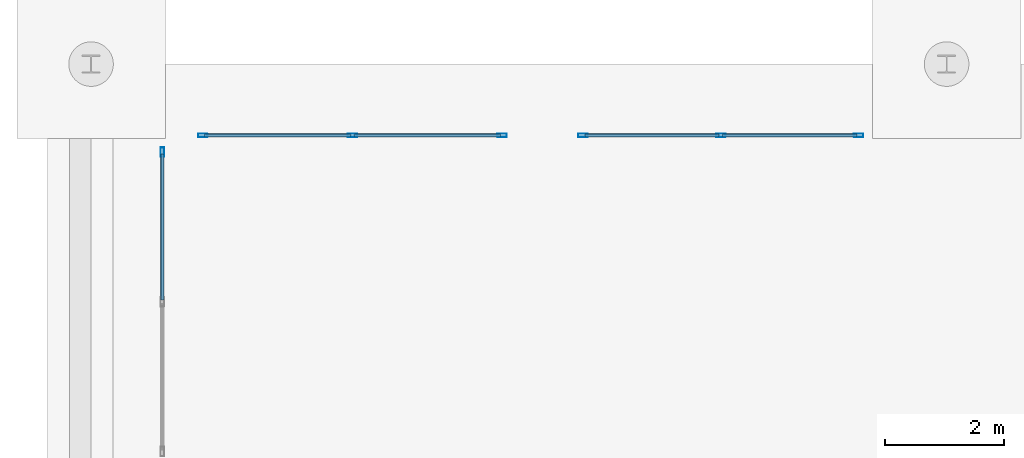
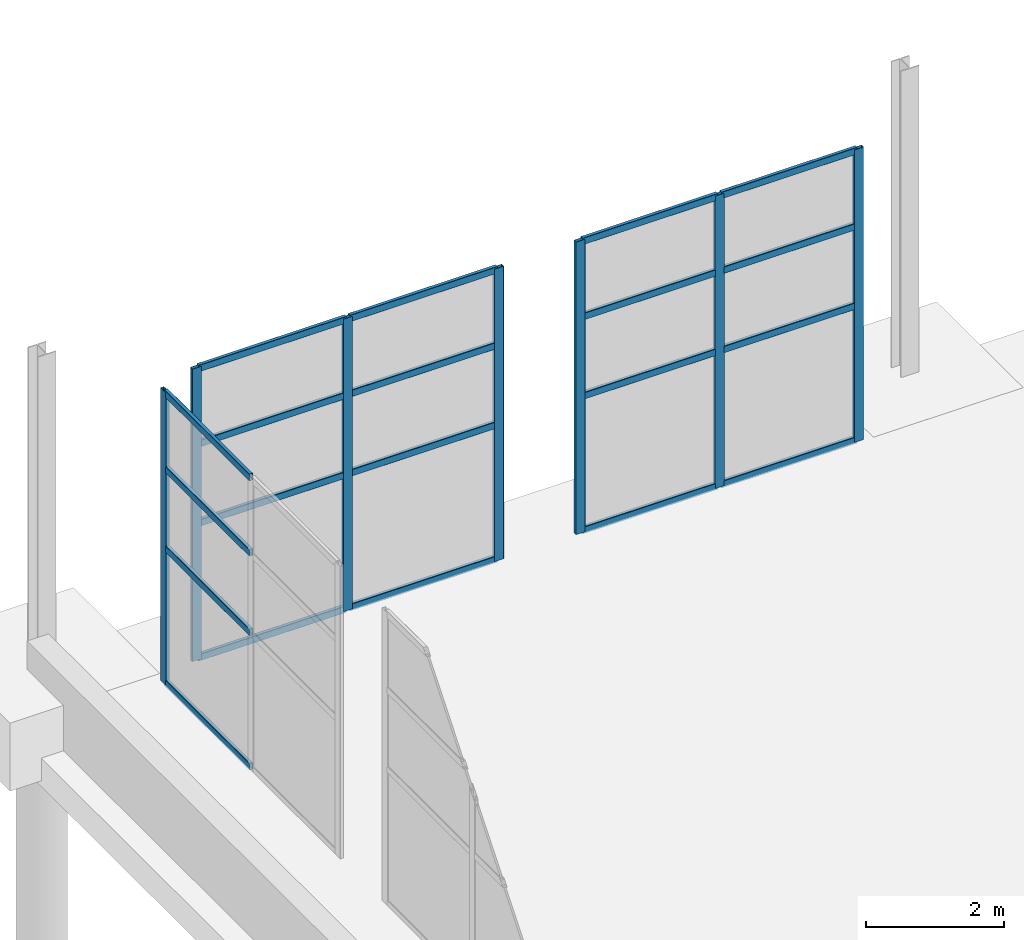
# One storey, part 40 of 91: 27 members, 3 elements without a shape of their own.
"""IFC4 building model written with IfcOpenShell, lengths in metres."""

from ifc_helpers import new_model, si_unit, direction, frame, origin, origin_2d, place, context, subcontext, project, spatial, hollow_rectangle, extrude, material, material_profile, profile_set, type_object, element, aggregate, save


model = new_model("IFC4")

# Units and contexts
model_context = context("Model", 3, precision=1e-05, world=origin(), true_north=direction((0.0, 1.0)))
body_context = subcontext(model_context, "Body", "Model", "MODEL_VIEW")
ifc_project = project(units=[si_unit("LENGTHUNIT", "METRE"), si_unit("AREAUNIT", "SQUARE_METRE"), si_unit("VOLUMEUNIT", "CUBIC_METRE"), si_unit("PLANEANGLEUNIT", "RADIAN"), si_unit("MASSUNIT", "GRAM", prefix="KILO")], contexts=[model_context])

# Site, building, storey
site_placement = place(None, origin())
site = spatial("IfcSite", under=ifc_project, at=site_placement, CompositionType="ELEMENT")
building_placement = place(site_placement, origin())
building = spatial("IfcBuilding", under=site, at=building_placement, Name="Bramveld Media Centre", CompositionType="ELEMENT")
storey_placement = place(building_placement, origin())
storey = spatial("IfcBuildingStorey", under=building, at=storey_placement, Name="L00", CompositionType="ELEMENT", Elevation=0.0)

# Curtain wall, member
ifc_material_1 = material(Name="Thermally broken anodized bronze aluminium unitized curtain wall with solar-control triple glazing", Category="aluminium")
curtain_wall_type_1 = type_object("IfcCurtainWallType", Name="CW-GAL-5100x5160", PredefinedType="NOTDEFINED", material=ifc_material_1)
curtain_wall_1_placement = place(storey_placement, origin())
curtain_wall_1 = element("IfcCurtainWall", 1, at=curtain_wall_1_placement, inside=storey, type_object=curtain_wall_type_1, Name="COLN-W colonnade glazed screen 8", PredefinedType="NOTDEFINED")
ifc_material_2 = material(Name="Thermally broken anodized bronze aluminium EN AW-6063 T6 curtain-wall framing", Category="aluminium")
ifc_material_profile_1 = material_profile(ifc_material_2, hollow_rectangle(XDim=0.06005859375, YDim=0.159912109375, WallThickness=0.00390625, InnerFilletRadius=0.00390625, OuterFilletRadius=0.008056640625, at=origin_2d()), Name="AL-MULL 60x160")
ifc_profile_set_1 = profile_set([ifc_material_profile_1], Name="Thermally broken anodized bronze aluminium EN AW-6063 T6 curtain-wall framing")
member_type_1 = type_object("IfcMemberType", Name="CW-MULL-EXT", PredefinedType="MULLION", material=ifc_profile_set_1)
member_1_placement = place(storey_placement, frame((1.199951171875, 110.52001953125, 0.0), z_axis=(0.0, 0.0, 1.0), x_axis=(-1.0, 0.0, 0.0)))
member_1 = element("IfcMember", 2, at=member_1_placement, type_object=member_type_1, Name="CW-GA-5151 mullion 3", PredefinedType="MULLION", context=body_context, shape_type="SweptSolid", body=[
    extrude(hollow_rectangle(XDim=0.06005859375, YDim=0.159912109375, WallThickness=0.00390625, InnerFilletRadius=0.00390625, OuterFilletRadius=0.008056640625, at=origin_2d()), origin(), (0.0, 0.0, 1.0), 5.159912109375),
])

# Curtain wall, members
curtain_wall_2_placement = place(storey_placement, origin())
curtain_wall_2 = element("IfcCurtainWall", 3, at=curtain_wall_2_placement, inside=storey, type_object=curtain_wall_type_1, Name="COLN-N colonnade glazed screen 1", PredefinedType="NOTDEFINED")
member_2_placement = place(storey_placement, frame((1.8798828125, 110.800048828125, 0.0), z_axis=(0.0, 0.0, 1.0), x_axis=(0.0, 1.0, 0.0)))
member_2 = element("IfcMember", 4, at=member_2_placement, type_object=member_type_1, Name="CW-GA-5151 mullion 1", PredefinedType="MULLION", context=body_context, shape_type="SweptSolid", body=[
    extrude(hollow_rectangle(XDim=0.06005859375, YDim=0.159912109375, WallThickness=0.00390625, InnerFilletRadius=0.00390625, OuterFilletRadius=0.008056640625, at=origin_2d()), origin(), (0.0, 0.0, 1.0), 5.159912109375),
])
member_3_placement = place(storey_placement, frame((4.39990234375, 110.800048828125, 0.0), z_axis=(0.0, 0.0, 1.0), x_axis=(0.0, 1.0, 0.0)))
member_3 = element("IfcMember", 5, at=member_3_placement, type_object=member_type_1, Name="CW-GA-5151 mullion 2", PredefinedType="MULLION", context=body_context, shape_type="SweptSolid", body=[
    extrude(hollow_rectangle(XDim=0.06005859375, YDim=0.159912109375, WallThickness=0.00390625, InnerFilletRadius=0.00390625, OuterFilletRadius=0.008056640625, at=origin_2d()), origin(), (0.0, 0.0, 1.0), 5.159912109375),
])
member_4_placement = place(storey_placement, frame((6.919921875, 110.800048828125, 0.0), z_axis=(0.0, 0.0, 1.0), x_axis=(0.0, 1.0, 0.0)))
member_4 = element("IfcMember", 6, at=member_4_placement, type_object=member_type_1, Name="CW-GA-5151 mullion 3", PredefinedType="MULLION", context=body_context, shape_type="SweptSolid", body=[
    extrude(hollow_rectangle(XDim=0.06005859375, YDim=0.159912109375, WallThickness=0.00390625, InnerFilletRadius=0.00390625, OuterFilletRadius=0.008056640625, at=origin_2d()), origin(), (0.0, 0.0, 1.0), 5.159912109375),
])

ifc_material_3 = material(Name="Thermally broken anodized bronze aluminium unitized curtain wall with solar-control triple glazing", Category="aluminium")
curtain_wall_type_2 = type_object("IfcCurtainWallType", Name="CW-GAL-4700x5160", PredefinedType="NOTDEFINED", material=ifc_material_3)
curtain_wall_3_placement = place(storey_placement, origin())
curtain_wall_3 = element("IfcCurtainWall", 7, at=curtain_wall_3_placement, inside=storey, type_object=curtain_wall_type_2, Name="COLN-N colonnade glazed screen 2", PredefinedType="NOTDEFINED")
member_5_placement = place(storey_placement, frame((8.280029296875, 110.800048828125, 0.0), z_axis=(0.0, 0.0, 1.0), x_axis=(0.0, 1.0, 0.0)))
member_5 = element("IfcMember", 8, at=member_5_placement, type_object=member_type_1, Name="CW-GA-4751 mullion 1", PredefinedType="MULLION", context=body_context, shape_type="SweptSolid", body=[
    extrude(hollow_rectangle(XDim=0.06005859375, YDim=0.159912109375, WallThickness=0.00390625, InnerFilletRadius=0.00390625, OuterFilletRadius=0.008056640625, at=origin_2d()), origin(), (0.0, 0.0, 1.0), 5.159912109375),
])
member_6_placement = place(storey_placement, frame((10.60009765625, 110.800048828125, 0.0), z_axis=(0.0, 0.0, 1.0), x_axis=(0.0, 1.0, 0.0)))
member_6 = element("IfcMember", 9, at=member_6_placement, type_object=member_type_1, Name="CW-GA-4751 mullion 2", PredefinedType="MULLION", context=body_context, shape_type="SweptSolid", body=[
    extrude(hollow_rectangle(XDim=0.06005859375, YDim=0.159912109375, WallThickness=0.00390625, InnerFilletRadius=0.00390625, OuterFilletRadius=0.008056640625, at=origin_2d()), origin(), (0.0, 0.0, 1.0), 5.159912109375),
])
member_7_placement = place(storey_placement, frame((12.919921875, 110.800048828125, 0.0), z_axis=(0.0, 0.0, 1.0), x_axis=(0.0, 1.0, 0.0)))
member_7 = element("IfcMember", 10, at=member_7_placement, type_object=member_type_1, Name="CW-GA-4751 mullion 3", PredefinedType="MULLION", context=body_context, shape_type="SweptSolid", body=[
    extrude(hollow_rectangle(XDim=0.06005859375, YDim=0.159912109375, WallThickness=0.00390625, InnerFilletRadius=0.00390625, OuterFilletRadius=0.008056640625, at=origin_2d()), origin(), (0.0, 0.0, 1.0), 5.159912109375),
])

# Member
ifc_material_4 = material(Name="Thermally broken anodized bronze aluminium EN AW-6063 T6 curtain-wall framing", Category="aluminium")
ifc_material_profile_2 = material_profile(ifc_material_4, hollow_rectangle(XDim=0.06005859375, YDim=0.1201171875, WallThickness=0.00341796875, InnerFilletRadius=0.00341796875, OuterFilletRadius=0.007080078125, at=origin_2d()), Name="AL-TRAN 60x120")
ifc_profile_set_2 = profile_set([ifc_material_profile_2], Name="Thermally broken anodized bronze aluminium EN AW-6063 T6 curtain-wall framing")
member_type_2 = type_object("IfcMemberType", Name="CW-TRAN-EXT", PredefinedType="USERDEFINED", material=ifc_profile_set_2)
member_8_placement = place(storey_placement, frame((1.199951171875, 108.030029296875, 0.030029296875), z_axis=(0.0, 1.0, 0.0), x_axis=(-1.0, 0.0, 0.0)))
member_8 = element("IfcMember", 11, at=member_8_placement, type_object=member_type_2, Name="CW-GA-5151 transom 2.1", ObjectType="TRANSOM", PredefinedType="USERDEFINED", context=body_context, shape_type="SweptSolid", body=[
    extrude(hollow_rectangle(XDim=0.06005859375, YDim=0.1201171875, WallThickness=0.00341796875, InnerFilletRadius=0.00341796875, OuterFilletRadius=0.007080078125, at=origin_2d()), origin(), (0.0, 0.0, 1.0), 2.4599609375),
])

member_9_placement = place(storey_placement, frame((1.199951171875, 108.030029296875, 2.39990234375), z_axis=(0.0, 1.0, 0.0), x_axis=(-1.0, 0.0, 0.0)))
member_9 = element("IfcMember", 12, at=member_9_placement, type_object=member_type_2, Name="CW-GA-5151 transom 2.2", ObjectType="TRANSOM", PredefinedType="USERDEFINED", context=body_context, shape_type="SweptSolid", body=[
    extrude(hollow_rectangle(XDim=0.06005859375, YDim=0.1201171875, WallThickness=0.00341796875, InnerFilletRadius=0.00341796875, OuterFilletRadius=0.007080078125, at=origin_2d()), origin(), (0.0, 0.0, 1.0), 2.4599609375),
])

member_10_placement = place(storey_placement, frame((1.199951171875, 108.030029296875, 3.800048828125), z_axis=(0.0, 1.0, 0.0), x_axis=(-1.0, 0.0, 0.0)))
member_10 = element("IfcMember", 13, at=member_10_placement, type_object=member_type_2, Name="CW-GA-5151 transom 2.3", ObjectType="TRANSOM", PredefinedType="USERDEFINED", context=body_context, shape_type="SweptSolid", body=[
    extrude(hollow_rectangle(XDim=0.06005859375, YDim=0.1201171875, WallThickness=0.00341796875, InnerFilletRadius=0.00341796875, OuterFilletRadius=0.007080078125, at=origin_2d()), origin(), (0.0, 0.0, 1.0), 2.4599609375),
])

member_11_placement = place(storey_placement, frame((1.199951171875, 108.030029296875, 5.1298828125), z_axis=(0.0, 1.0, 0.0), x_axis=(-1.0, 0.0, 0.0)))
member_11 = element("IfcMember", 14, at=member_11_placement, type_object=member_type_2, Name="CW-GA-5151 transom 2.4", ObjectType="TRANSOM", PredefinedType="USERDEFINED", context=body_context, shape_type="SweptSolid", body=[
    extrude(hollow_rectangle(XDim=0.06005859375, YDim=0.1201171875, WallThickness=0.00341796875, InnerFilletRadius=0.00341796875, OuterFilletRadius=0.007080078125, at=origin_2d()), origin(), (0.0, 0.0, 1.0), 2.4599609375),
])

aggregate(curtain_wall_1, [member_1, member_8, member_9, member_10, member_11])

member_12_placement = place(storey_placement, frame((1.909912109375, 110.800048828125, 0.030029296875), z_axis=(1.0, 0.0, 0.0), x_axis=(0.0, 1.0, 0.0)))
member_12 = element("IfcMember", 15, at=member_12_placement, type_object=member_type_2, Name="CW-GA-5151 transom 1.1", ObjectType="TRANSOM", PredefinedType="USERDEFINED", context=body_context, shape_type="SweptSolid", body=[
    extrude(hollow_rectangle(XDim=0.06005859375, YDim=0.1201171875, WallThickness=0.00341796875, InnerFilletRadius=0.00341796875, OuterFilletRadius=0.007080078125, at=origin_2d()), origin(), (0.0, 0.0, 1.0), 2.460205078125),
])

member_13_placement = place(storey_placement, frame((1.909912109375, 110.800048828125, 2.39990234375), z_axis=(1.0, 0.0, 0.0), x_axis=(0.0, 1.0, 0.0)))
member_13 = element("IfcMember", 16, at=member_13_placement, type_object=member_type_2, Name="CW-GA-5151 transom 1.2", ObjectType="TRANSOM", PredefinedType="USERDEFINED", context=body_context, shape_type="SweptSolid", body=[
    extrude(hollow_rectangle(XDim=0.06005859375, YDim=0.1201171875, WallThickness=0.00341796875, InnerFilletRadius=0.00341796875, OuterFilletRadius=0.007080078125, at=origin_2d()), origin(), (0.0, 0.0, 1.0), 2.460205078125),
])

member_14_placement = place(storey_placement, frame((1.909912109375, 110.800048828125, 3.800048828125), z_axis=(1.0, 0.0, 0.0), x_axis=(0.0, 1.0, 0.0)))
member_14 = element("IfcMember", 17, at=member_14_placement, type_object=member_type_2, Name="CW-GA-5151 transom 1.3", ObjectType="TRANSOM", PredefinedType="USERDEFINED", context=body_context, shape_type="SweptSolid", body=[
    extrude(hollow_rectangle(XDim=0.06005859375, YDim=0.1201171875, WallThickness=0.00341796875, InnerFilletRadius=0.00341796875, OuterFilletRadius=0.007080078125, at=origin_2d()), origin(), (0.0, 0.0, 1.0), 2.460205078125),
])

member_15_placement = place(storey_placement, frame((1.909912109375, 110.800048828125, 5.1298828125), z_axis=(1.0, 0.0, 0.0), x_axis=(0.0, 1.0, 0.0)))
member_15 = element("IfcMember", 18, at=member_15_placement, type_object=member_type_2, Name="CW-GA-5151 transom 1.4", ObjectType="TRANSOM", PredefinedType="USERDEFINED", context=body_context, shape_type="SweptSolid", body=[
    extrude(hollow_rectangle(XDim=0.06005859375, YDim=0.1201171875, WallThickness=0.00341796875, InnerFilletRadius=0.00341796875, OuterFilletRadius=0.007080078125, at=origin_2d()), origin(), (0.0, 0.0, 1.0), 2.460205078125),
])

member_16_placement = place(storey_placement, frame((4.429931640625, 110.800048828125, 0.030029296875), z_axis=(1.0, 0.0, 0.0), x_axis=(0.0, 1.0, 0.0)))
member_16 = element("IfcMember", 19, at=member_16_placement, type_object=member_type_2, Name="CW-GA-5151 transom 2.1", ObjectType="TRANSOM", PredefinedType="USERDEFINED", context=body_context, shape_type="SweptSolid", body=[
    extrude(hollow_rectangle(XDim=0.06005859375, YDim=0.1201171875, WallThickness=0.00341796875, InnerFilletRadius=0.00341796875, OuterFilletRadius=0.007080078125, at=origin_2d()), origin(), (0.0, 0.0, 1.0), 2.4599609375),
])

member_17_placement = place(storey_placement, frame((4.429931640625, 110.800048828125, 2.39990234375), z_axis=(1.0, 0.0, 0.0), x_axis=(0.0, 1.0, 0.0)))
member_17 = element("IfcMember", 20, at=member_17_placement, type_object=member_type_2, Name="CW-GA-5151 transom 2.2", ObjectType="TRANSOM", PredefinedType="USERDEFINED", context=body_context, shape_type="SweptSolid", body=[
    extrude(hollow_rectangle(XDim=0.06005859375, YDim=0.1201171875, WallThickness=0.00341796875, InnerFilletRadius=0.00341796875, OuterFilletRadius=0.007080078125, at=origin_2d()), origin(), (0.0, 0.0, 1.0), 2.4599609375),
])

member_18_placement = place(storey_placement, frame((4.429931640625, 110.800048828125, 3.800048828125), z_axis=(1.0, 0.0, 0.0), x_axis=(0.0, 1.0, 0.0)))
member_18 = element("IfcMember", 21, at=member_18_placement, type_object=member_type_2, Name="CW-GA-5151 transom 2.3", ObjectType="TRANSOM", PredefinedType="USERDEFINED", context=body_context, shape_type="SweptSolid", body=[
    extrude(hollow_rectangle(XDim=0.06005859375, YDim=0.1201171875, WallThickness=0.00341796875, InnerFilletRadius=0.00341796875, OuterFilletRadius=0.007080078125, at=origin_2d()), origin(), (0.0, 0.0, 1.0), 2.4599609375),
])

member_19_placement = place(storey_placement, frame((4.429931640625, 110.800048828125, 5.1298828125), z_axis=(1.0, 0.0, 0.0), x_axis=(0.0, 1.0, 0.0)))
member_19 = element("IfcMember", 22, at=member_19_placement, type_object=member_type_2, Name="CW-GA-5151 transom 2.4", ObjectType="TRANSOM", PredefinedType="USERDEFINED", context=body_context, shape_type="SweptSolid", body=[
    extrude(hollow_rectangle(XDim=0.06005859375, YDim=0.1201171875, WallThickness=0.00341796875, InnerFilletRadius=0.00341796875, OuterFilletRadius=0.007080078125, at=origin_2d()), origin(), (0.0, 0.0, 1.0), 2.4599609375),
])

aggregate(curtain_wall_2, [member_2, member_3, member_4, member_12, member_13, member_14, member_15, member_16, member_17, member_18, member_19])

member_20_placement = place(storey_placement, frame((8.31005859375, 110.800048828125, 0.030029296875), z_axis=(1.0, 0.0, 0.0), x_axis=(0.0, 1.0, 0.0)))
member_20 = element("IfcMember", 23, at=member_20_placement, type_object=member_type_2, Name="CW-GA-4751 transom 1.1", ObjectType="TRANSOM", PredefinedType="USERDEFINED", context=body_context, shape_type="SweptSolid", body=[
    extrude(hollow_rectangle(XDim=0.06005859375, YDim=0.1201171875, WallThickness=0.00341796875, InnerFilletRadius=0.00341796875, OuterFilletRadius=0.007080078125, at=origin_2d()), origin(), (0.0, 0.0, 1.0), 2.260009765625),
])

member_21_placement = place(storey_placement, frame((8.31005859375, 110.800048828125, 2.39990234375), z_axis=(1.0, 0.0, 0.0), x_axis=(0.0, 1.0, 0.0)))
member_21 = element("IfcMember", 24, at=member_21_placement, type_object=member_type_2, Name="CW-GA-4751 transom 1.2", ObjectType="TRANSOM", PredefinedType="USERDEFINED", context=body_context, shape_type="SweptSolid", body=[
    extrude(hollow_rectangle(XDim=0.06005859375, YDim=0.1201171875, WallThickness=0.00341796875, InnerFilletRadius=0.00341796875, OuterFilletRadius=0.007080078125, at=origin_2d()), origin(), (0.0, 0.0, 1.0), 2.260009765625),
])

member_22_placement = place(storey_placement, frame((8.31005859375, 110.800048828125, 3.800048828125), z_axis=(1.0, 0.0, 0.0), x_axis=(0.0, 1.0, 0.0)))
member_22 = element("IfcMember", 25, at=member_22_placement, type_object=member_type_2, Name="CW-GA-4751 transom 1.3", ObjectType="TRANSOM", PredefinedType="USERDEFINED", context=body_context, shape_type="SweptSolid", body=[
    extrude(hollow_rectangle(XDim=0.06005859375, YDim=0.1201171875, WallThickness=0.00341796875, InnerFilletRadius=0.00341796875, OuterFilletRadius=0.007080078125, at=origin_2d()), origin(), (0.0, 0.0, 1.0), 2.260009765625),
])

member_23_placement = place(storey_placement, frame((8.31005859375, 110.800048828125, 5.1298828125), z_axis=(1.0, 0.0, 0.0), x_axis=(0.0, 1.0, 0.0)))
member_23 = element("IfcMember", 26, at=member_23_placement, type_object=member_type_2, Name="CW-GA-4751 transom 1.4", ObjectType="TRANSOM", PredefinedType="USERDEFINED", context=body_context, shape_type="SweptSolid", body=[
    extrude(hollow_rectangle(XDim=0.06005859375, YDim=0.1201171875, WallThickness=0.00341796875, InnerFilletRadius=0.00341796875, OuterFilletRadius=0.007080078125, at=origin_2d()), origin(), (0.0, 0.0, 1.0), 2.260009765625),
])

member_24_placement = place(storey_placement, frame((10.6298828125, 110.800048828125, 0.030029296875), z_axis=(1.0, 0.0, 0.0), x_axis=(0.0, 1.0, 0.0)))
member_24 = element("IfcMember", 27, at=member_24_placement, type_object=member_type_2, Name="CW-GA-4751 transom 2.1", ObjectType="TRANSOM", PredefinedType="USERDEFINED", context=body_context, shape_type="SweptSolid", body=[
    extrude(hollow_rectangle(XDim=0.06005859375, YDim=0.1201171875, WallThickness=0.00341796875, InnerFilletRadius=0.00341796875, OuterFilletRadius=0.007080078125, at=origin_2d()), origin(), (0.0, 0.0, 1.0), 2.260009765625),
])

member_25_placement = place(storey_placement, frame((10.6298828125, 110.800048828125, 2.39990234375), z_axis=(1.0, 0.0, 0.0), x_axis=(0.0, 1.0, 0.0)))
member_25 = element("IfcMember", 28, at=member_25_placement, type_object=member_type_2, Name="CW-GA-4751 transom 2.2", ObjectType="TRANSOM", PredefinedType="USERDEFINED", context=body_context, shape_type="SweptSolid", body=[
    extrude(hollow_rectangle(XDim=0.06005859375, YDim=0.1201171875, WallThickness=0.00341796875, InnerFilletRadius=0.00341796875, OuterFilletRadius=0.007080078125, at=origin_2d()), origin(), (0.0, 0.0, 1.0), 2.260009765625),
])

member_26_placement = place(storey_placement, frame((10.6298828125, 110.800048828125, 3.800048828125), z_axis=(1.0, 0.0, 0.0), x_axis=(0.0, 1.0, 0.0)))
member_26 = element("IfcMember", 29, at=member_26_placement, type_object=member_type_2, Name="CW-GA-4751 transom 2.3", ObjectType="TRANSOM", PredefinedType="USERDEFINED", context=body_context, shape_type="SweptSolid", body=[
    extrude(hollow_rectangle(XDim=0.06005859375, YDim=0.1201171875, WallThickness=0.00341796875, InnerFilletRadius=0.00341796875, OuterFilletRadius=0.007080078125, at=origin_2d()), origin(), (0.0, 0.0, 1.0), 2.260009765625),
])

member_27_placement = place(storey_placement, frame((10.6298828125, 110.800048828125, 5.1298828125), z_axis=(1.0, 0.0, 0.0), x_axis=(0.0, 1.0, 0.0)))
member_27 = element("IfcMember", 30, at=member_27_placement, type_object=member_type_2, Name="CW-GA-4751 transom 2.4", ObjectType="TRANSOM", PredefinedType="USERDEFINED", context=body_context, shape_type="SweptSolid", body=[
    extrude(hollow_rectangle(XDim=0.06005859375, YDim=0.1201171875, WallThickness=0.00341796875, InnerFilletRadius=0.00341796875, OuterFilletRadius=0.007080078125, at=origin_2d()), origin(), (0.0, 0.0, 1.0), 2.260009765625),
])

aggregate(curtain_wall_3, [member_5, member_6, member_7, member_20, member_21, member_22, member_23, member_24, member_25, member_26, member_27])

save(model, "model.ifc")
